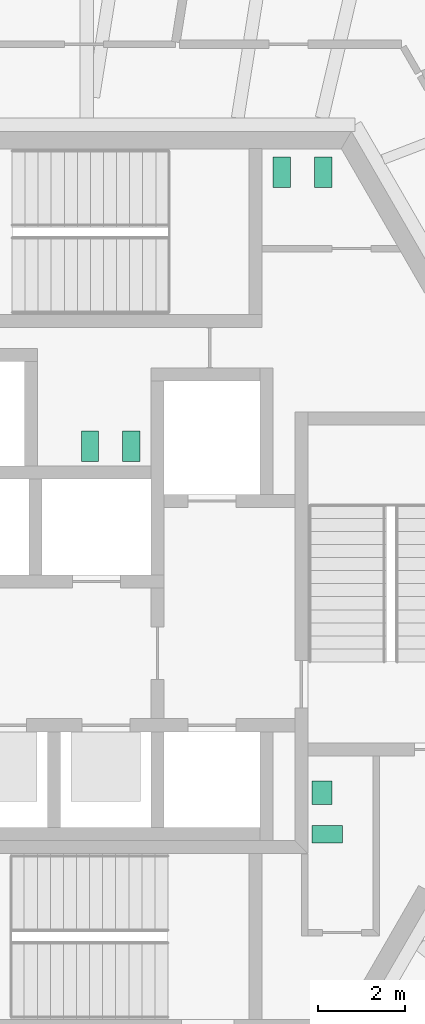
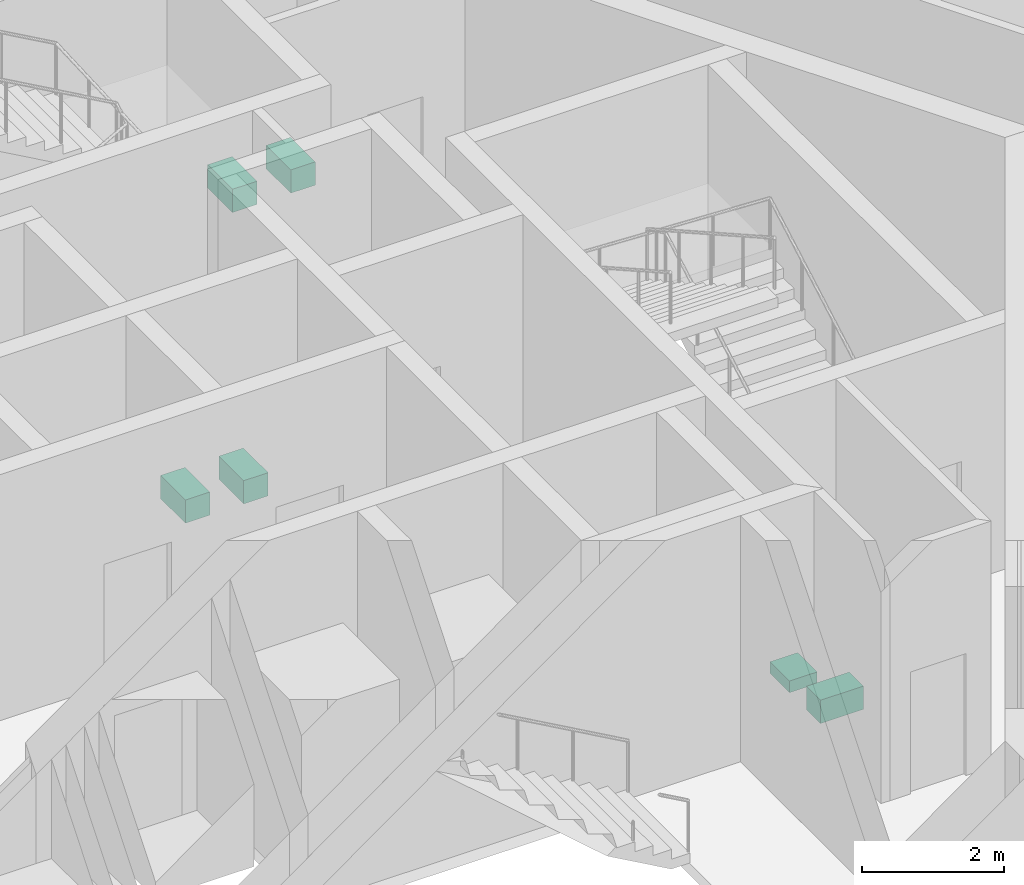
# One storey, part 21 of 22: 6 sanitary terminals.
"""IFC4 building model written with IfcOpenShell, lengths in metres."""

from ifc_helpers import new_model, si_unit, direction, frame, origin, origin_2d, place, context, subcontext, project, spatial, rectangle, extrude, source, transform, mapped, material, element, save


model = new_model("IFC4")

# Units and contexts
model_context = context("Model", 3, precision=1e-05, world=origin(), true_north=direction((0.0, 1.0)))
body_context = subcontext(model_context, "Body", "Model", "MODEL_VIEW")
ifc_project = project(units=[si_unit("LENGTHUNIT", "METRE"), si_unit("AREAUNIT", "SQUARE_METRE"), si_unit("VOLUMEUNIT", "CUBIC_METRE"), si_unit("PLANEANGLEUNIT", "RADIAN"), si_unit("MASSUNIT", "GRAM", prefix="KILO")], contexts=[model_context])

# Site, building, storey
site_placement = place(None, origin())
site = spatial("IfcSite", under=ifc_project, at=site_placement, CompositionType="ELEMENT")
building_placement = place(site_placement, origin())
building = spatial("IfcBuilding", under=site, at=building_placement, Name="Triune Harvest Tower", CompositionType="ELEMENT")
storey_placement = place(building_placement, frame((0.0, 0.0, 138.10009765625)))
storey = spatial("IfcBuildingStorey", under=building, at=storey_placement, Name="L35", CompositionType="ELEMENT", Elevation=138.10009765625)

# Sanitary terminals
ifc_material = material(Name="Vitreous china")
shared_shape_1 = source(origin(), body_context, "Body", "SweptSolid", [
    extrude(rectangle(XDim=0.39990234375, YDim=0.699951171875, at=origin_2d()), origin(), (0.0, 0.0, 1.0), 0.39990234375),
])
for number, where, z_axis, x_axis, name in (
    (1, (4.39990234375, 9.449951171875, 0.0), (0.0, 0.0, 1.0), (1.0, 0.0, 0.0), "Toilet pan L35.c01"),
    (2, (5.35009765625, 9.449951171875, 0.0), (0.0, 0.0, 1.0), (1.0, 0.0, 0.0), "Toilet pan L35.c02"),
    (3, (0.949951171875, 3.159912109375, 0.0), (0.0, 0.0, 1.0), (-1.0, 0.0, 0.0), "Toilet pan L35.c03"),
    (4, (0.0, 3.159912109375, 0.0), (0.0, 0.0, 1.0), (-1.0, 0.0, 0.0), "Toilet pan L35.c04"),
    (5, (5.449951171875, -5.739990234375, 0.0), (0.0, 0.0, 1.0), (0.0, 1.0, 0.0), "Toilet pan L35.c05"),
):
    element("IfcSanitaryTerminal", number, at=place(storey_placement, frame(where, z_axis=z_axis, x_axis=x_axis)), inside=storey, material=ifc_material, Name=name, PredefinedType="TOILETPAN", context=body_context, shape_type="MappedRepresentation", body=[
        mapped(shared_shape_1, transform((0.0, 0.0, 0.0), scale=1.0)),
    ])
shared_shape_2 = source(origin(), body_context, "Body", "SweptSolid", [
    extrude(rectangle(XDim=0.550048828125, YDim=0.449951171875, at=origin_2d()), origin(), (0.0, 0.0, 1.0), 0.199951171875),
])
sanitary_terminal_placement = place(storey_placement, frame((5.324951171875, -4.7900390625, 0.0), z_axis=(0.0, 0.0, 1.0), x_axis=(0.0, 1.0, 0.0)))
element("IfcSanitaryTerminal", 6, at=sanitary_terminal_placement, inside=storey, material=ifc_material, Name="Wash basin L35.c06", PredefinedType="WASHHANDBASIN", context=body_context, shape_type="MappedRepresentation", body=[
    mapped(shared_shape_2, transform((0.0, 0.0, 0.0), scale=1.0)),
])

save(model, "model.ifc")
